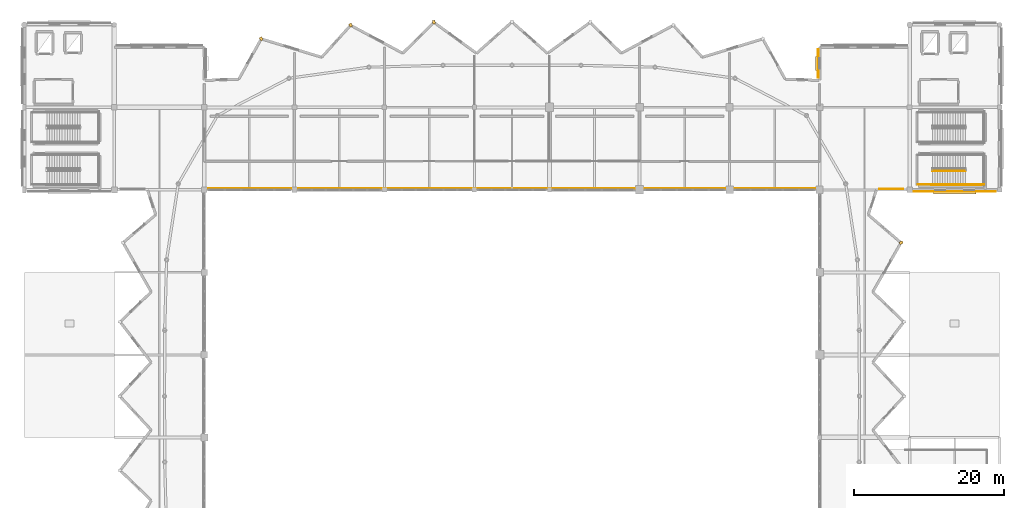
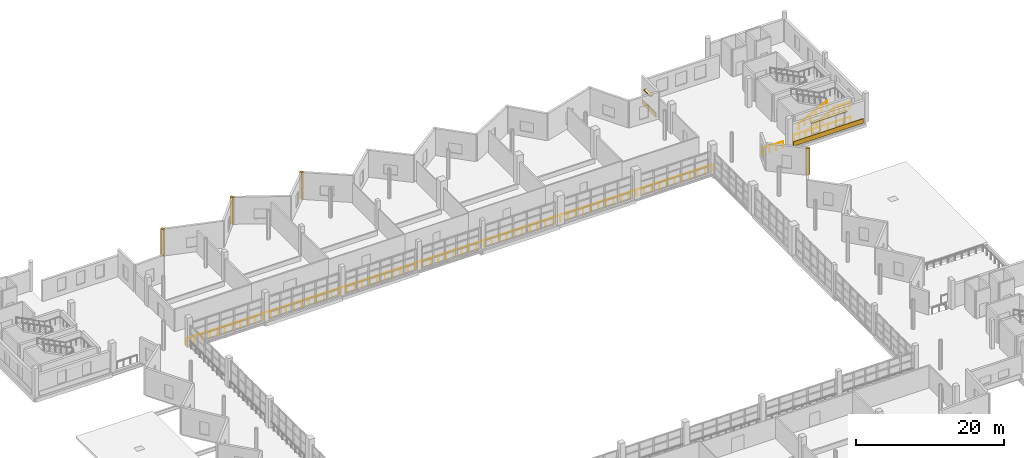
# One storey, part 51 of 53: 8 coverings, 7 railings.
"""IFC4 building model written with IfcOpenShell, lengths in metres."""

from ifc_helpers import new_model, si_unit, direction, frame, origin, origin_2d, place, context, subcontext, project, spatial, rectangle, circle, extrude, material, layer, layer_set, type_object, element, save


model = new_model("IFC4")

# Units and contexts
model_context = context("Model", 3, precision=1e-05, world=origin(), true_north=direction((0.0, 1.0)))
body_context = subcontext(model_context, "Body", "Model", "MODEL_VIEW")
ifc_project = project(units=[si_unit("LENGTHUNIT", "METRE"), si_unit("AREAUNIT", "SQUARE_METRE"), si_unit("VOLUMEUNIT", "CUBIC_METRE"), si_unit("PLANEANGLEUNIT", "RADIAN"), si_unit("MASSUNIT", "GRAM", prefix="KILO")], contexts=[model_context])

# Site, building, storey
site_placement = place(None, origin())
site = spatial("IfcSite", under=ifc_project, at=site_placement, CompositionType="ELEMENT")
building_placement = place(site_placement, origin())
building = spatial("IfcBuilding", under=site, at=building_placement, Name="Luwafu Chhajja Arena", CompositionType="ELEMENT")
storey_placement = place(building_placement, frame((0.0, 0.0, 19.5)))
storey = spatial("IfcBuildingStorey", under=building, at=storey_placement, Name="L04", CompositionType="ELEMENT", Elevation=19.5)

# Coverings
ifc_material_1 = material(Name="Red laterite sandstone cladding", Category="masonry")
ifc_layer = layer(ifc_material_1, 0.074951171875, Name="Red laterite sandstone cladding")
ifc_layer_set = layer_set([ifc_layer], Name="Red laterite sandstone cladding")
covering_type = type_object("IfcCoveringType", Name="Dressed Red-Laterite Sandstone Cladding", PredefinedType="CLADDING", material=ifc_layer_set)
for number, where, z_axis, x_axis, name in (
    (1, (150.86279296875, 69.955322265625, 0.0), (0.0, 0.0, 1.0), (0.930258694901, 0.366904293461, 0.0), "L04 Pleated Bowl Sandstone Ridge Fin 03"),
    (2, (88.587890625, 99.3427734375, 0.0), (0.0, 0.0, 1.0), (-0.20448508974, 0.9788696788, 0.0), "L04 Pleated Bowl Sandstone Ridge Fin 10"),
    (3, (77.489013671875, 98.948974609375, 0.0), (0.0, 0.0, 1.0), (-0.398902881432, 0.916993179465, 0.0), "L04 Pleated Bowl Sandstone Ridge Fin 11"),
    (4, (65.572509765625, 97.135986328125, 0.0), (0.0, 0.0, 1.0), (-0.574411104334, 0.818566969293, 0.0), "L04 Pleated Bowl Sandstone Ridge Fin 12"),
):
    element("IfcCovering", number, at=place(storey_placement, frame(where, z_axis=z_axis, x_axis=x_axis)), inside=storey, type_object=covering_type, Name=name, PredefinedType="CLADDING", context=body_context, shape_type="SweptSolid", body=[
        extrude(rectangle(XDim=0.4599609375, YDim=0.360107421875, at=origin_2d()), origin(), (0.0, 0.0, 1.0), 4.455078125),
    ])
covering_1_placement = place(storey_placement, frame((139.80810546875, 93.825927734375, 0.0), z_axis=(0.0, 0.0, 1.0), x_axis=(0.0, 1.0, 0.0)))
element("IfcCovering", 5, at=covering_1_placement, inside=storey, type_object=covering_type, Name="L04 Red-Laterite Sandstone Plinth Cladding 117", PredefinedType="CLADDING", context=body_context, shape_type="SweptSolid", body=[
    extrude(rectangle(XDim=3.748291015625, YDim=0.0849609375, at=origin_2d()), origin(), (0.0, 0.0, 1.0), 0.760009765625),
])
covering_2_placement = place(storey_placement, frame((139.679931640625, 93.82568359375, 2.93017578125), z_axis=(0.0, 0.0, 1.0), x_axis=(0.0, 1.0, 0.0)))
element("IfcCovering", 6, at=covering_2_placement, inside=storey, type_object=covering_type, Name="L04 Mughal Sandstone Window Chhajja Hood 0109", PredefinedType="CLADDING", context=body_context, shape_type="SweptSolid", body=[
    extrude(rectangle(XDim=1.85009765625, YDim=0.419921875, at=origin_2d()), origin(), (0.0, 0.0, 1.0), 0.139892578125),
])
covering_3_placement = place(storey_placement, frame((158.0, 76.76806640625, 0.0), z_axis=(0.0, 0.0, 1.0), x_axis=(1.0, 0.0, 0.0)))
element("IfcCovering", 7, at=covering_3_placement, inside=storey, type_object=covering_type, Name="L04 Red-Laterite Sandstone Plinth Cladding 122", PredefinedType="CLADDING", context=body_context, shape_type="SweptSolid", body=[
    extrude(rectangle(XDim=10.9599609375, YDim=0.0849609375, at=origin_2d()), origin(), (0.0, 0.0, 1.0), 0.760009765625),
])
covering_4_placement = place(storey_placement, frame((158.0, 76.639892578125, 2.93017578125), z_axis=(0.0, 0.0, 1.0), x_axis=(1.0, 0.0, 0.0)))
element("IfcCovering", 8, at=covering_4_placement, inside=storey, type_object=covering_type, Name="L04 Mughal Sandstone Window Chhajja Hood 0114", PredefinedType="CLADDING", context=body_context, shape_type="SweptSolid", body=[
    extrude(rectangle(XDim=5.703369140625, YDim=0.419921875, at=origin_2d()), origin(), (0.0, 0.0, 1.0), 0.139892578125),
])

# Railings
ifc_material_2 = material(Name="Stainless steel balustrade", Category="steel")
railing_type_1 = type_object("IfcRailingType", Name="Seating Bowl Sightline Barrier 1100", PredefinedType="BALUSTRADE", material=ifc_material_2)
railing_1_placement = place(storey_placement, frame((140.14990234375, 77.14990234375, 0.0)))
element("IfcRailing", 9, at=railing_1_placement, inside=storey, type_object=railing_type_1, Name="L04 Bowl Rim Guard 0042", PredefinedType="BALUSTRADE", context=body_context, shape_type="SweptSolid", body=[
    extrude(circle(Radius=0.02392578125, at=origin_2d()), frame((0.0, 0.0, 1.09619140625), z_axis=(-1.0, 0.0, 0.0), x_axis=(0.0, -1.0, 0.0)), (0.0, 0.0, 1.0), 82.2998046875),
    extrude(circle(Radius=0.02099609375, at=origin_2d()), origin(), (0.0, 0.0, 1.0), 1.072021484375),
    extrude(circle(Radius=0.02099609375, at=origin_2d()), frame((-1.19287109375, 0.0, 0.0)), (0.0, 0.0, 1.0), 1.072021484375),
    extrude(circle(Radius=0.02099609375, at=origin_2d()), frame((-2.385498046875, 0.0, 0.0)), (0.0, 0.0, 1.0), 1.072021484375),
    extrude(circle(Radius=0.02099609375, at=origin_2d()), frame((-3.578369140625, 0.0, 0.0)), (0.0, 0.0, 1.0), 1.072021484375),
    extrude(circle(Radius=0.02099609375, at=origin_2d()), frame((-4.77099609375, 0.0, 0.0)), (0.0, 0.0, 1.0), 1.072021484375),
    extrude(circle(Radius=0.02099609375, at=origin_2d()), frame((-5.9638671875, 0.0, 0.0)), (0.0, 0.0, 1.0), 1.072021484375),
    extrude(circle(Radius=0.02099609375, at=origin_2d()), frame((-7.156494140625, 0.0, 0.0)), (0.0, 0.0, 1.0), 1.072021484375),
    extrude(circle(Radius=0.02099609375, at=origin_2d()), frame((-8.349365234375, 0.0, 0.0)), (0.0, 0.0, 1.0), 1.072021484375),
    extrude(circle(Radius=0.02099609375, at=origin_2d()), frame((-9.5419921875, 0.0, 0.0)), (0.0, 0.0, 1.0), 1.072021484375),
    extrude(circle(Radius=0.02099609375, at=origin_2d()), frame((-10.73486328125, 0.0, 0.0)), (0.0, 0.0, 1.0), 1.072021484375),
    extrude(circle(Radius=0.02099609375, at=origin_2d()), frame((-11.927490234375, 0.0, 0.0)), (0.0, 0.0, 1.0), 1.072021484375),
    extrude(circle(Radius=0.02099609375, at=origin_2d()), frame((-13.120361328125, 0.0, 0.0)), (0.0, 0.0, 1.0), 1.072021484375),
    extrude(circle(Radius=0.02099609375, at=origin_2d()), frame((-14.31298828125, 0.0, 0.0)), (0.0, 0.0, 1.0), 1.072021484375),
    extrude(circle(Radius=0.02099609375, at=origin_2d()), frame((-15.505859375, 0.0, 0.0)), (0.0, 0.0, 1.0), 1.072021484375),
    extrude(circle(Radius=0.02099609375, at=origin_2d()), frame((-16.698486328125, 0.0, 0.0)), (0.0, 0.0, 1.0), 1.072021484375),
    extrude(circle(Radius=0.02099609375, at=origin_2d()), frame((-17.891357421875, 0.0, 0.0)), (0.0, 0.0, 1.0), 1.072021484375),
    extrude(circle(Radius=0.02099609375, at=origin_2d()), frame((-19.083984375, 0.0, 0.0)), (0.0, 0.0, 1.0), 1.072021484375),
    extrude(circle(Radius=0.02099609375, at=origin_2d()), frame((-20.27685546875, 0.0, 0.0)), (0.0, 0.0, 1.0), 1.072021484375),
    extrude(circle(Radius=0.02099609375, at=origin_2d()), frame((-21.469482421875, 0.0, 0.0)), (0.0, 0.0, 1.0), 1.072021484375),
    extrude(circle(Radius=0.02099609375, at=origin_2d()), frame((-22.662353515625, 0.0, 0.0)), (0.0, 0.0, 1.0), 1.072021484375),
    extrude(circle(Radius=0.02099609375, at=origin_2d()), frame((-23.85498046875, 0.0, 0.0)), (0.0, 0.0, 1.0), 1.072021484375),
    extrude(circle(Radius=0.02099609375, at=origin_2d()), frame((-25.0478515625, 0.0, 0.0)), (0.0, 0.0, 1.0), 1.072021484375),
    extrude(circle(Radius=0.02099609375, at=origin_2d()), frame((-26.240478515625, 0.0, 0.0)), (0.0, 0.0, 1.0), 1.072021484375),
    extrude(circle(Radius=0.02099609375, at=origin_2d()), frame((-27.433349609375, 0.0, 0.0)), (0.0, 0.0, 1.0), 1.072021484375),
    extrude(circle(Radius=0.02099609375, at=origin_2d()), frame((-28.6259765625, 0.0, 0.0)), (0.0, 0.0, 1.0), 1.072021484375),
    extrude(circle(Radius=0.02099609375, at=origin_2d()), frame((-29.81884765625, 0.0, 0.0)), (0.0, 0.0, 1.0), 1.072021484375),
    extrude(circle(Radius=0.02099609375, at=origin_2d()), frame((-31.011474609375, 0.0, 0.0)), (0.0, 0.0, 1.0), 1.072021484375),
    extrude(circle(Radius=0.02099609375, at=origin_2d()), frame((-32.204345703125, 0.0, 0.0)), (0.0, 0.0, 1.0), 1.072021484375),
    extrude(circle(Radius=0.02099609375, at=origin_2d()), frame((-33.39697265625, 0.0, 0.0)), (0.0, 0.0, 1.0), 1.072021484375),
    extrude(circle(Radius=0.02099609375, at=origin_2d()), frame((-34.58984375, 0.0, 0.0)), (0.0, 0.0, 1.0), 1.072021484375),
    extrude(circle(Radius=0.02099609375, at=origin_2d()), frame((-35.782470703125, 0.0, 0.0)), (0.0, 0.0, 1.0), 1.072021484375),
    extrude(circle(Radius=0.02099609375, at=origin_2d()), frame((-36.975341796875, 0.0, 0.0)), (0.0, 0.0, 1.0), 1.072021484375),
    extrude(circle(Radius=0.02099609375, at=origin_2d()), frame((-38.16796875, 0.0, 0.0)), (0.0, 0.0, 1.0), 1.072021484375),
    extrude(circle(Radius=0.02099609375, at=origin_2d()), frame((-39.36083984375, 0.0, 0.0)), (0.0, 0.0, 1.0), 1.072021484375),
    extrude(circle(Radius=0.02099609375, at=origin_2d()), frame((-40.553466796875, 0.0, 0.0)), (0.0, 0.0, 1.0), 1.072021484375),
    extrude(circle(Radius=0.02099609375, at=origin_2d()), frame((-41.746337890625, 0.0, 0.0)), (0.0, 0.0, 1.0), 1.072021484375),
    extrude(circle(Radius=0.02099609375, at=origin_2d()), frame((-42.93896484375, 0.0, 0.0)), (0.0, 0.0, 1.0), 1.072021484375),
    extrude(circle(Radius=0.02099609375, at=origin_2d()), frame((-44.1318359375, 0.0, 0.0)), (0.0, 0.0, 1.0), 1.072021484375),
    extrude(circle(Radius=0.02099609375, at=origin_2d()), frame((-45.324462890625, 0.0, 0.0)), (0.0, 0.0, 1.0), 1.072021484375),
    extrude(circle(Radius=0.02099609375, at=origin_2d()), frame((-46.517333984375, 0.0, 0.0)), (0.0, 0.0, 1.0), 1.072021484375),
    extrude(circle(Radius=0.02099609375, at=origin_2d()), frame((-47.7099609375, 0.0, 0.0)), (0.0, 0.0, 1.0), 1.072021484375),
    extrude(circle(Radius=0.02099609375, at=origin_2d()), frame((-48.90283203125, 0.0, 0.0)), (0.0, 0.0, 1.0), 1.072021484375),
    extrude(circle(Radius=0.02099609375, at=origin_2d()), frame((-50.095458984375, 0.0, 0.0)), (0.0, 0.0, 1.0), 1.072021484375),
    extrude(circle(Radius=0.02099609375, at=origin_2d()), frame((-51.288330078125, 0.0, 0.0)), (0.0, 0.0, 1.0), 1.072021484375),
    extrude(circle(Radius=0.02099609375, at=origin_2d()), frame((-52.48095703125, 0.0, 0.0)), (0.0, 0.0, 1.0), 1.072021484375),
    extrude(circle(Radius=0.02099609375, at=origin_2d()), frame((-53.673828125, 0.0, 0.0)), (0.0, 0.0, 1.0), 1.072021484375),
    extrude(circle(Radius=0.02099609375, at=origin_2d()), frame((-54.866455078125, 0.0, 0.0)), (0.0, 0.0, 1.0), 1.072021484375),
    extrude(circle(Radius=0.02099609375, at=origin_2d()), frame((-56.059326171875, 0.0, 0.0)), (0.0, 0.0, 1.0), 1.072021484375),
    extrude(circle(Radius=0.02099609375, at=origin_2d()), frame((-57.251953125, 0.0, 0.0)), (0.0, 0.0, 1.0), 1.072021484375),
    extrude(circle(Radius=0.02099609375, at=origin_2d()), frame((-58.44482421875, 0.0, 0.0)), (0.0, 0.0, 1.0), 1.072021484375),
    extrude(circle(Radius=0.02099609375, at=origin_2d()), frame((-59.637451171875, 0.0, 0.0)), (0.0, 0.0, 1.0), 1.072021484375),
    extrude(circle(Radius=0.02099609375, at=origin_2d()), frame((-60.830322265625, 0.0, 0.0)), (0.0, 0.0, 1.0), 1.072021484375),
    extrude(circle(Radius=0.02099609375, at=origin_2d()), frame((-62.02294921875, 0.0, 0.0)), (0.0, 0.0, 1.0), 1.072021484375),
    extrude(circle(Radius=0.02099609375, at=origin_2d()), frame((-63.2158203125, 0.0, 0.0)), (0.0, 0.0, 1.0), 1.072021484375),
    extrude(circle(Radius=0.02099609375, at=origin_2d()), frame((-64.408447265625, 0.0, 0.0)), (0.0, 0.0, 1.0), 1.072021484375),
    extrude(circle(Radius=0.02099609375, at=origin_2d()), frame((-65.601318359375, 0.0, 0.0)), (0.0, 0.0, 1.0), 1.072021484375),
    extrude(circle(Radius=0.02099609375, at=origin_2d()), frame((-66.7939453125, 0.0, 0.0)), (0.0, 0.0, 1.0), 1.072021484375),
    extrude(circle(Radius=0.02099609375, at=origin_2d()), frame((-67.98681640625, 0.0, 0.0)), (0.0, 0.0, 1.0), 1.072021484375),
    extrude(circle(Radius=0.02099609375, at=origin_2d()), frame((-69.179443359375, 0.0, 0.0)), (0.0, 0.0, 1.0), 1.072021484375),
    extrude(circle(Radius=0.02099609375, at=origin_2d()), frame((-70.372314453125, 0.0, 0.0)), (0.0, 0.0, 1.0), 1.072021484375),
    extrude(circle(Radius=0.02099609375, at=origin_2d()), frame((-71.56494140625, 0.0, 0.0)), (0.0, 0.0, 1.0), 1.072021484375),
    extrude(circle(Radius=0.02099609375, at=origin_2d()), frame((-72.7578125, 0.0, 0.0)), (0.0, 0.0, 1.0), 1.072021484375),
    extrude(circle(Radius=0.02099609375, at=origin_2d()), frame((-73.950439453125, 0.0, 0.0)), (0.0, 0.0, 1.0), 1.072021484375),
    extrude(circle(Radius=0.02099609375, at=origin_2d()), frame((-75.143310546875, 0.0, 0.0)), (0.0, 0.0, 1.0), 1.072021484375),
    extrude(circle(Radius=0.02099609375, at=origin_2d()), frame((-76.3359375, 0.0, 0.0)), (0.0, 0.0, 1.0), 1.072021484375),
    extrude(circle(Radius=0.02099609375, at=origin_2d()), frame((-77.52880859375, 0.0, 0.0)), (0.0, 0.0, 1.0), 1.072021484375),
    extrude(circle(Radius=0.02099609375, at=origin_2d()), frame((-78.721435546875, 0.0, 0.0)), (0.0, 0.0, 1.0), 1.072021484375),
    extrude(circle(Radius=0.02099609375, at=origin_2d()), frame((-79.914306640625, 0.0, 0.0)), (0.0, 0.0, 1.0), 1.072021484375),
    extrude(circle(Radius=0.02099609375, at=origin_2d()), frame((-81.10693359375, 0.0, 0.0)), (0.0, 0.0, 1.0), 1.072021484375),
    extrude(circle(Radius=0.02099609375, at=origin_2d()), frame((-82.2998046875, 0.0, 0.0)), (0.0, 0.0, 1.0), 1.072021484375),
])
ifc_material_3 = material(Name="Stainless steel handrail", Category="steel")
railing_type_2 = type_object("IfcRailingType", Name="Stair Pitch Wall Handrail 920", PredefinedType="HANDRAIL", material=ifc_material_3)
railing_2_placement = place(storey_placement, frame((155.02001953125, 77.699951171875, 0.17138671875)))
element("IfcRailing", 10, at=railing_2_placement, inside=storey, type_object=railing_type_2, Name="L04 ST-07 stair handrail 1", PredefinedType="HANDRAIL", context=body_context, shape_type="SweptSolid", body=[
    extrude(circle(Radius=0.02392578125, at=origin_2d()), frame((0.0, 0.0, 0.8759765625), z_axis=(0.89292277971, 0.0, 0.450209850486), x_axis=(0.0, 1.0, 0.0)), (0.0, 0.0, 1.0), 4.949951171875),
    extrude(circle(Radius=0.02099609375, at=origin_2d()), origin(), (0.0, 0.0, 1.0), 0.851806640625),
    extrude(circle(Radius=0.02099609375, at=origin_2d()), frame((0.884033203125, 0.0, 0.44580078125)), (0.0, 0.0, 1.0), 0.851806640625),
    extrude(circle(Radius=0.02099609375, at=origin_2d()), frame((1.76806640625, 0.0, 0.891357421875)), (0.0, 0.0, 1.0), 0.851806640625),
    extrude(circle(Radius=0.02099609375, at=origin_2d()), frame((2.65185546875, 0.0, 1.337158203125)), (0.0, 0.0, 1.0), 0.851806640625),
    extrude(circle(Radius=0.02099609375, at=origin_2d()), frame((3.535888671875, 0.0, 1.78271484375)), (0.0, 0.0, 1.0), 0.851806640625),
    extrude(circle(Radius=0.02099609375, at=origin_2d()), frame((4.419921875, 0.0, 2.228515625)), (0.0, 0.0, 1.0), 0.851806640625),
])
railing_type_3 = type_object("IfcRailingType", Name="Stair and Terrace Guard Balustrade 1100", PredefinedType="BALUSTRADE", material=ifc_material_2)
railing_3_placement = place(storey_placement, frame((155.02001953125, 79.52001953125, 0.17138671875)))
element("IfcRailing", 11, at=railing_3_placement, inside=storey, type_object=railing_type_3, Name="L04 ST-07 stair guard 1", PredefinedType="BALUSTRADE", context=body_context, shape_type="SweptSolid", body=[
    extrude(circle(Radius=0.02392578125, at=origin_2d()), frame((0.0, 0.0, 1.076171875), z_axis=(0.89292277971, 0.0, 0.450209850486), x_axis=(0.0, 1.0, 0.0)), (0.0, 0.0, 1.0), 4.949951171875),
    extrude(circle(Radius=0.02099609375, at=origin_2d()), origin(), (0.0, 0.0, 1.0), 1.052001953125),
    extrude(circle(Radius=0.02099609375, at=origin_2d()), frame((0.884033203125, 0.0, 0.44580078125)), (0.0, 0.0, 1.0), 1.052001953125),
    extrude(circle(Radius=0.02099609375, at=origin_2d()), frame((1.76806640625, 0.0, 0.891357421875)), (0.0, 0.0, 1.0), 1.052001953125),
    extrude(circle(Radius=0.02099609375, at=origin_2d()), frame((2.65185546875, 0.0, 1.337158203125)), (0.0, 0.0, 1.0), 1.052001953125),
    extrude(circle(Radius=0.02099609375, at=origin_2d()), frame((3.535888671875, 0.0, 1.78271484375)), (0.0, 0.0, 1.0), 1.052001953125),
    extrude(circle(Radius=0.02099609375, at=origin_2d()), frame((4.419921875, 0.0, 2.228515625)), (0.0, 0.0, 1.0), 1.052001953125),
])
railing_4_placement = place(storey_placement, frame((159.43994140625, 77.699951171875, 2.39990234375)))
element("IfcRailing", 12, at=railing_4_placement, inside=storey, type_object=railing_type_3, Name="L04 ST-07 stair guard 3", PredefinedType="BALUSTRADE", context=body_context, shape_type="SweptSolid", body=[
    extrude(circle(Radius=0.02392578125, at=origin_2d()), frame((0.0, 0.0, 1.076171875), z_axis=(1.0, 0.0, 0.0), x_axis=(0.0, 1.0, 0.0)), (0.0, 0.0, 1.0), 2.4599609375),
    extrude(circle(Radius=0.02099609375, at=origin_2d()), origin(), (0.0, 0.0, 1.0), 1.052001953125),
    extrude(circle(Radius=0.02099609375, at=origin_2d()), frame((0.820068359375, 0.0, 0.0)), (0.0, 0.0, 1.0), 1.052001953125),
    extrude(circle(Radius=0.02099609375, at=origin_2d()), frame((1.639892578125, 0.0, 0.0)), (0.0, 0.0, 1.0), 1.052001953125),
    extrude(circle(Radius=0.02099609375, at=origin_2d()), frame((2.4599609375, 0.0, 0.0)), (0.0, 0.0, 1.0), 1.052001953125),
])
railing_5_placement = place(storey_placement, frame((153.10009765625, 77.699951171875, 0.0)))
element("IfcRailing", 13, at=railing_5_placement, inside=storey, type_object=railing_type_3, Name="L04 ST-07 stair guard 8", PredefinedType="BALUSTRADE", context=body_context, shape_type="SweptSolid", body=[
    extrude(circle(Radius=0.02392578125, at=origin_2d()), frame((0.0, 0.0, 1.076171875), z_axis=(1.0, 0.0, 0.0), x_axis=(0.0, 1.0, 0.0)), (0.0, 0.0, 1.0), 1.919921875),
    extrude(circle(Radius=0.02099609375, at=origin_2d()), origin(), (0.0, 0.0, 1.0), 1.052001953125),
    extrude(circle(Radius=0.02099609375, at=origin_2d()), frame((0.9599609375, 0.0, 0.0)), (0.0, 0.0, 1.0), 1.052001953125),
    extrude(circle(Radius=0.02099609375, at=origin_2d()), frame((1.919921875, 0.0, 0.0)), (0.0, 0.0, 1.0), 1.052001953125),
])
railing_6_placement = place(storey_placement, frame((154.919921875, 77.60009765625, 0.0)))
element("IfcRailing", 14, at=railing_6_placement, inside=storey, type_object=railing_type_3, Name="L04 ST-07 stair guard 10", PredefinedType="BALUSTRADE", context=body_context, shape_type="SweptSolid", body=[
    extrude(circle(Radius=0.02392578125, at=origin_2d()), frame((0.0, 0.0, 1.076171875), z_axis=(1.0, 0.0, 0.0), x_axis=(0.0, 1.0, 0.0)), (0.0, 0.0, 1.0), 7.080078125),
    extrude(circle(Radius=0.02099609375, at=origin_2d()), origin(), (0.0, 0.0, 1.0), 1.052001953125),
    extrude(circle(Radius=0.02099609375, at=origin_2d()), frame((1.179931640625, 0.0, 0.0)), (0.0, 0.0, 1.0), 1.052001953125),
    extrude(circle(Radius=0.02099609375, at=origin_2d()), frame((2.360107421875, 0.0, 0.0)), (0.0, 0.0, 1.0), 1.052001953125),
    extrude(circle(Radius=0.02099609375, at=origin_2d()), frame((3.5400390625, 0.0, 0.0)), (0.0, 0.0, 1.0), 1.052001953125),
    extrude(circle(Radius=0.02099609375, at=origin_2d()), frame((4.719970703125, 0.0, 0.0)), (0.0, 0.0, 1.0), 1.052001953125),
    extrude(circle(Radius=0.02099609375, at=origin_2d()), frame((5.900146484375, 0.0, 0.0)), (0.0, 0.0, 1.0), 1.052001953125),
    extrude(circle(Radius=0.02099609375, at=origin_2d()), frame((7.080078125, 0.0, 0.0)), (0.0, 0.0, 1.0), 1.052001953125),
])
railing_7_placement = place(storey_placement, frame((151.14990234375, 77.10009765625, 0.0)))
element("IfcRailing", 15, at=railing_7_placement, inside=storey, type_object=railing_type_3, Name="L04 Outer Slab Edge Guard 001", PredefinedType="BALUSTRADE", context=body_context, shape_type="SweptSolid", body=[
    extrude(circle(Radius=0.02392578125, at=origin_2d()), frame((0.0, 0.0, 1.09619140625), z_axis=(-1.0, 0.0, 0.0), x_axis=(0.0, -1.0, 0.0)), (0.0, 0.0, 1.0), 3.17578125),
    extrude(circle(Radius=0.02099609375, at=origin_2d()), origin(), (0.0, 0.0, 1.0), 1.072021484375),
    extrude(circle(Radius=0.02099609375, at=origin_2d()), frame((-1.05859375, 0.0, 0.0)), (0.0, 0.0, 1.0), 1.072021484375),
    extrude(circle(Radius=0.02099609375, at=origin_2d()), frame((-2.1171875, 0.0, 0.0)), (0.0, 0.0, 1.0), 1.072021484375),
    extrude(circle(Radius=0.02099609375, at=origin_2d()), frame((-3.17578125, 0.0, 0.0)), (0.0, 0.0, 1.0), 1.072021484375),
])

save(model, "model.ifc")
